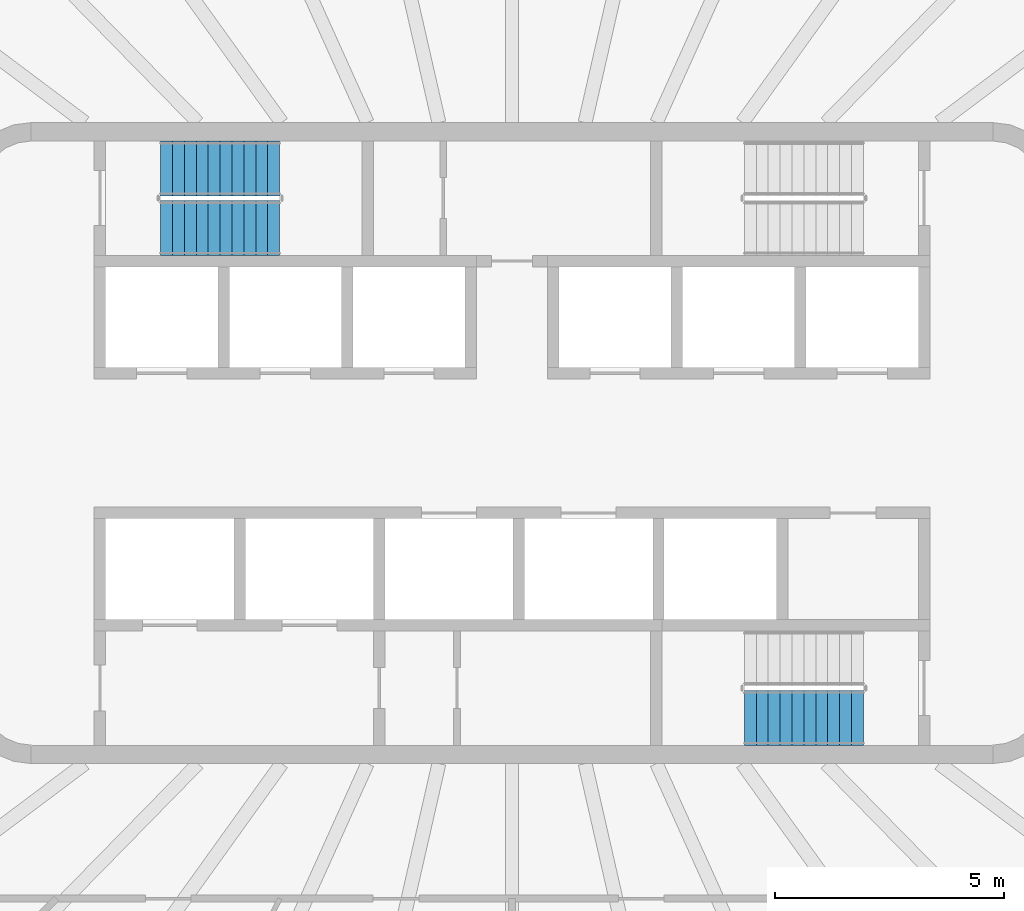
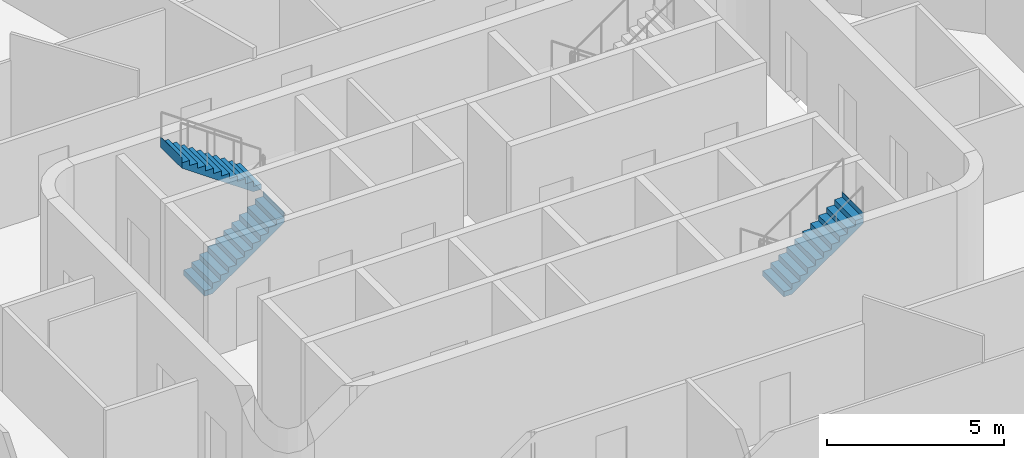
# One storey, part 13 of 21: 3 stair flights, 2 elements without a shape of their own.
"""IFC4 building model written with IfcOpenShell, lengths in metres."""

from ifc_helpers import new_model, si_unit, direction, frame, origin, place, context, subcontext, project, spatial, triangles, material, type_object, element, aggregate, save


model = new_model("IFC4")

# Units and contexts
model_context = context("Model", 3, precision=1e-05, world=origin(), true_north=direction((0.0, 1.0)))
body_context = subcontext(model_context, "Body", "Model", "MODEL_VIEW")
ifc_project = project(units=[si_unit("LENGTHUNIT", "METRE"), si_unit("AREAUNIT", "SQUARE_METRE"), si_unit("VOLUMEUNIT", "CUBIC_METRE"), si_unit("PLANEANGLEUNIT", "RADIAN"), si_unit("MASSUNIT", "GRAM", prefix="KILO")], contexts=[model_context])

# Site, building, storey
site_placement = place(None, origin())
site = spatial("IfcSite", under=ifc_project, at=site_placement, CompositionType="ELEMENT")
building_placement = place(site_placement, origin())
building = spatial("IfcBuilding", under=site, at=building_placement, Name="Sahrelin Media Tower", CompositionType="ELEMENT")
storey_placement = place(building_placement, frame((0.0, 0.0, 259.0)))
storey = spatial("IfcBuildingStorey", under=building, at=storey_placement, Name="L56", CompositionType="ELEMENT", Elevation=259.0)

# Stair, stair flights
ifc_material = material(Name="Concrete C40/50", Category="concrete")
stair_type = type_object("IfcStairType", Name="Exit stair 1200", PredefinedType="HALF_TURN_STAIR", material=ifc_material)
placement = place(storey_placement, origin())
stair_1 = element("IfcStair", 1, at=placement, inside=storey, type_object=stair_type, Name="L56 Exit stair ST1", PredefinedType="HALF_TURN_STAIR")
stair_flight_type = type_object("IfcStairFlightType", Name="Stair flight 1200", PredefinedType="STRAIGHT", material=ifc_material)
stair_flight_1_placement = place(storey_placement, frame((-7.675048828125, 4.699951171875, 0.0), z_axis=(0.0, 0.0, 1.0), x_axis=(1.0, 0.0, 0.0)))
stair_flight_1 = element("IfcStairFlight", 2, at=stair_flight_1_placement, type_object=stair_flight_type, Name="ST1 flight 1", NumberOfRisers=11, NumberOfTreads=10, PredefinedType="STRAIGHT", RiserHeight=0.181818182, TreadLength=0.26, context=body_context, shape_type="Tessellation", body=[
    triangles([(0.261474609375, 0.60009765625, 0.0), (0.261474609375, 0.300048828125, 0.0), (0.261474609375, 0.0, 0.0), (0.261474609375, -0.300048828125, 0.0), (0.261474609375, -0.60009765625, 0.0), (2.60009765625, 0.60009765625, 1.63525390625), (2.60009765625, 0.300048828125, 1.63525390625), (2.60009765625, 0.0, 1.63525390625), (2.60009765625, -0.300048828125, 1.63525390625), (2.60009765625, -0.60009765625, 1.63525390625), (2.60009765625, 0.60009765625, 2.0), (2.60009765625, 0.300048828125, 2.0), (2.60009765625, 0.0, 2.0), (2.60009765625, -0.300048828125, 2.0), (2.60009765625, -0.60009765625, 2.0), (2.597900390625, 0.60009765625, 2.0), (2.597900390625, 0.300048828125, 2.0), (2.597900390625, 0.0, 2.0), (2.597900390625, -0.300048828125, 2.0), (2.597900390625, -0.60009765625, 2.0), (2.597900390625, 0.60009765625, 1.818115234375), (2.597900390625, 0.300048828125, 1.818115234375), (2.597900390625, 0.0, 1.818115234375), (2.597900390625, -0.300048828125, 1.818115234375), (2.597900390625, -0.60009765625, 1.818115234375), (2.340087890625, 0.60009765625, 1.818115234375), (2.340087890625, 0.300048828125, 1.818115234375), (2.340087890625, 0.0, 1.818115234375), (2.340087890625, -0.300048828125, 1.818115234375), (2.340087890625, -0.60009765625, 1.818115234375), (2.340087890625, 0.60009765625, 1.636474609375), (2.340087890625, 0.300048828125, 1.636474609375), (2.340087890625, 0.0, 1.636474609375), (2.340087890625, -0.300048828125, 1.636474609375), (2.340087890625, -0.60009765625, 1.636474609375), (2.080078125, 0.60009765625, 1.636474609375), (2.080078125, 0.300048828125, 1.636474609375), (2.080078125, 0.0, 1.636474609375), (2.080078125, -0.300048828125, 1.636474609375), (2.080078125, -0.60009765625, 1.636474609375), (2.080078125, 0.60009765625, 1.45458984375), (2.080078125, 0.300048828125, 1.45458984375), (2.080078125, 0.0, 1.45458984375), (2.080078125, -0.300048828125, 1.45458984375), (2.080078125, -0.60009765625, 1.45458984375), (1.820068359375, 0.60009765625, 1.45458984375), (1.820068359375, 0.300048828125, 1.45458984375), (1.820068359375, 0.0, 1.45458984375), (1.820068359375, -0.300048828125, 1.45458984375), (1.820068359375, -0.60009765625, 1.45458984375), (1.820068359375, 0.60009765625, 1.272705078125), (1.820068359375, 0.300048828125, 1.272705078125), (1.820068359375, 0.0, 1.272705078125), (1.820068359375, -0.300048828125, 1.272705078125), (1.820068359375, -0.60009765625, 1.272705078125), (1.56005859375, 0.60009765625, 1.272705078125), (1.56005859375, 0.300048828125, 1.272705078125), (1.56005859375, 0.0, 1.272705078125), (1.56005859375, -0.300048828125, 1.272705078125), (1.56005859375, -0.60009765625, 1.272705078125), (1.56005859375, 0.60009765625, 1.0908203125), (1.56005859375, 0.300048828125, 1.0908203125), (1.56005859375, 0.0, 1.0908203125), (1.56005859375, -0.300048828125, 1.0908203125), (1.56005859375, -0.60009765625, 1.0908203125), (1.300048828125, 0.60009765625, 1.0908203125), (1.300048828125, 0.300048828125, 1.0908203125), (1.300048828125, 0.0, 1.0908203125), (1.300048828125, -0.300048828125, 1.0908203125), (1.300048828125, -0.60009765625, 1.0908203125), (1.300048828125, 0.60009765625, 0.9091796875), (1.300048828125, 0.300048828125, 0.9091796875), (1.300048828125, 0.0, 0.9091796875), (1.300048828125, -0.300048828125, 0.9091796875), (1.300048828125, -0.60009765625, 0.9091796875), (1.0400390625, 0.60009765625, 0.9091796875), (1.0400390625, 0.300048828125, 0.9091796875), (1.0400390625, 0.0, 0.9091796875), (1.0400390625, -0.300048828125, 0.9091796875), (1.0400390625, -0.60009765625, 0.9091796875), (1.0400390625, 0.60009765625, 0.727294921875), (1.0400390625, 0.300048828125, 0.727294921875), (1.0400390625, 0.0, 0.727294921875), (1.0400390625, -0.300048828125, 0.727294921875), (1.0400390625, -0.60009765625, 0.727294921875), (0.780029296875, 0.60009765625, 0.727294921875), (0.780029296875, 0.300048828125, 0.727294921875), (0.780029296875, 0.0, 0.727294921875), (0.780029296875, -0.300048828125, 0.727294921875), (0.780029296875, -0.60009765625, 0.727294921875), (0.780029296875, 0.60009765625, 0.54541015625), (0.780029296875, 0.300048828125, 0.54541015625), (0.780029296875, 0.0, 0.54541015625), (0.780029296875, -0.300048828125, 0.54541015625), (0.780029296875, -0.60009765625, 0.54541015625), (0.52001953125, 0.60009765625, 0.54541015625), (0.52001953125, 0.300048828125, 0.54541015625), (0.52001953125, 0.0, 0.54541015625), (0.52001953125, -0.300048828125, 0.54541015625), (0.52001953125, -0.60009765625, 0.54541015625), (0.52001953125, 0.60009765625, 0.363525390625), (0.52001953125, 0.300048828125, 0.363525390625), (0.52001953125, 0.0, 0.363525390625), (0.52001953125, -0.300048828125, 0.363525390625), (0.52001953125, -0.60009765625, 0.363525390625), (0.260009765625, 0.60009765625, 0.363525390625), (0.260009765625, 0.300048828125, 0.363525390625), (0.260009765625, 0.0, 0.363525390625), (0.260009765625, -0.300048828125, 0.363525390625), (0.260009765625, -0.60009765625, 0.363525390625), (0.260009765625, 0.60009765625, 0.181884765625), (0.260009765625, 0.300048828125, 0.181884765625), (0.260009765625, 0.0, 0.181884765625), (0.260009765625, -0.300048828125, 0.181884765625), (0.260009765625, -0.60009765625, 0.181884765625), (0.0, 0.60009765625, 0.181884765625), (0.0, 0.300048828125, 0.181884765625), (0.0, 0.0, 0.181884765625), (0.0, -0.300048828125, 0.181884765625), (0.0, -0.60009765625, 0.181884765625), (0.0, 0.60009765625, 0.0), (0.0, 0.300048828125, 0.0), (0.0, 0.0, 0.0), (0.0, -0.300048828125, 0.0), (0.0, -0.60009765625, 0.0)], [[1, 6, 7], [1, 7, 2], [2, 7, 8], [2, 8, 3], [3, 8, 9], [3, 9, 4], [4, 9, 10], [4, 10, 5], [6, 11, 12], [6, 12, 7], [7, 12, 13], [7, 13, 8], [8, 13, 14], [8, 14, 9], [9, 14, 15], [9, 15, 10], [11, 16, 17], [11, 17, 12], [12, 17, 18], [12, 18, 13], [13, 18, 19], [13, 19, 14], [14, 19, 20], [14, 20, 15], [16, 21, 22], [16, 22, 17], [17, 22, 23], [17, 23, 18], [18, 23, 24], [18, 24, 19], [19, 24, 25], [19, 25, 20], [21, 26, 27], [21, 27, 22], [22, 27, 28], [22, 28, 23], [23, 28, 29], [23, 29, 24], [24, 29, 30], [24, 30, 25], [26, 31, 32], [26, 32, 27], [27, 32, 33], [27, 33, 28], [28, 33, 34], [28, 34, 29], [29, 34, 35], [29, 35, 30], [31, 36, 37], [31, 37, 32], [32, 37, 38], [32, 38, 33], [33, 38, 39], [33, 39, 34], [34, 39, 40], [34, 40, 35], [36, 41, 42], [36, 42, 37], [37, 42, 43], [37, 43, 38], [38, 43, 44], [38, 44, 39], [39, 44, 45], [39, 45, 40], [41, 46, 47], [41, 47, 42], [42, 47, 48], [42, 48, 43], [43, 48, 49], [43, 49, 44], [44, 49, 50], [44, 50, 45], [46, 51, 52], [46, 52, 47], [47, 52, 53], [47, 53, 48], [48, 53, 54], [48, 54, 49], [49, 54, 55], [49, 55, 50], [51, 56, 57], [51, 57, 52], [52, 57, 58], [52, 58, 53], [53, 58, 59], [53, 59, 54], [54, 59, 60], [54, 60, 55], [56, 61, 62], [56, 62, 57], [57, 62, 63], [57, 63, 58], [58, 63, 64], [58, 64, 59], [59, 64, 65], [59, 65, 60], [61, 66, 67], [61, 67, 62], [62, 67, 68], [62, 68, 63], [63, 68, 69], [63, 69, 64], [64, 69, 70], [64, 70, 65], [66, 71, 72], [66, 72, 67], [67, 72, 73], [67, 73, 68], [68, 73, 74], [68, 74, 69], [69, 74, 75], [69, 75, 70], [71, 76, 77], [71, 77, 72], [72, 77, 78], [72, 78, 73], [73, 78, 79], [73, 79, 74], [74, 79, 80], [74, 80, 75], [76, 81, 82], [76, 82, 77], [77, 82, 83], [77, 83, 78], [78, 83, 84], [78, 84, 79], [79, 84, 85], [79, 85, 80], [81, 86, 87], [81, 87, 82], [82, 87, 88], [82, 88, 83], [83, 88, 89], [83, 89, 84], [84, 89, 90], [84, 90, 85], [86, 91, 92], [86, 92, 87], [87, 92, 93], [87, 93, 88], [88, 93, 94], [88, 94, 89], [89, 94, 95], [89, 95, 90], [91, 96, 97], [91, 97, 92], [92, 97, 98], [92, 98, 93], [93, 98, 99], [93, 99, 94], [94, 99, 100], [94, 100, 95], [96, 101, 102], [96, 102, 97], [97, 102, 103], [97, 103, 98], [98, 103, 104], [98, 104, 99], [99, 104, 105], [99, 105, 100], [101, 106, 107], [101, 107, 102], [102, 107, 108], [102, 108, 103], [103, 108, 109], [103, 109, 104], [104, 109, 110], [104, 110, 105], [106, 111, 112], [106, 112, 107], [107, 112, 113], [107, 113, 108], [108, 113, 114], [108, 114, 109], [109, 114, 115], [109, 115, 110], [111, 116, 117], [111, 117, 112], [112, 117, 118], [112, 118, 113], [113, 118, 119], [113, 119, 114], [114, 119, 120], [114, 120, 115], [116, 121, 122], [116, 122, 117], [117, 122, 123], [117, 123, 118], [118, 123, 124], [118, 124, 119], [119, 124, 125], [119, 125, 120], [121, 1, 2], [121, 2, 122], [122, 2, 3], [122, 3, 123], [123, 3, 4], [123, 4, 124], [124, 4, 5], [124, 5, 125], [115, 120, 125], [111, 121, 116], [115, 105, 110], [111, 106, 101], [105, 95, 100], [101, 96, 91], [95, 85, 90], [91, 86, 81], [85, 75, 80], [81, 76, 71], [75, 65, 70], [71, 66, 61], [65, 55, 60], [61, 56, 51], [55, 45, 50], [51, 46, 41], [45, 35, 40], [41, 36, 31], [35, 25, 30], [31, 26, 21], [25, 15, 20], [21, 16, 11], [125, 5, 115], [121, 111, 1], [25, 10, 15], [21, 11, 6], [105, 115, 5], [101, 1, 111], [35, 10, 25], [31, 21, 6], [95, 105, 5], [91, 1, 101], [45, 10, 35], [41, 31, 6], [85, 95, 5], [81, 1, 91], [55, 10, 45], [51, 41, 6], [75, 85, 5], [71, 1, 81], [65, 10, 55], [61, 51, 6], [5, 10, 75], [1, 71, 6], [75, 10, 65], [71, 61, 6]], closed=True),
])
stair_flight_2_placement = place(storey_placement, frame((-5.074951171875, 6.0, 2.0), z_axis=(0.0, 0.0, 1.0), x_axis=(-1.0, 0.0, 0.0)))
stair_flight_2 = element("IfcStairFlight", 3, at=stair_flight_2_placement, type_object=stair_flight_type, Name="ST1 flight 2", NumberOfRisers=11, NumberOfTreads=10, PredefinedType="STRAIGHT", RiserHeight=0.181818182, TreadLength=0.26, context=body_context, shape_type="Tessellation", body=[
    triangles([(0.261474609375, 0.60009765625, 0.0), (0.261474609375, 0.300048828125, 0.0), (0.261474609375, 0.0, 0.0), (0.261474609375, -0.300048828125, 0.0), (0.261474609375, -0.60009765625, 0.0), (2.60009765625, 0.60009765625, 1.63525390625), (2.60009765625, 0.300048828125, 1.63525390625), (2.60009765625, 0.0, 1.63525390625), (2.60009765625, -0.300048828125, 1.63525390625), (2.60009765625, -0.60009765625, 1.63525390625), (2.60009765625, 0.60009765625, 2.0), (2.60009765625, 0.300048828125, 2.0), (2.60009765625, 0.0, 2.0), (2.60009765625, -0.300048828125, 2.0), (2.60009765625, -0.60009765625, 2.0), (2.597900390625, 0.60009765625, 2.0), (2.597900390625, 0.300048828125, 2.0), (2.597900390625, 0.0, 2.0), (2.597900390625, -0.300048828125, 2.0), (2.597900390625, -0.60009765625, 2.0), (2.597900390625, 0.60009765625, 1.818115234375), (2.597900390625, 0.300048828125, 1.818115234375), (2.597900390625, 0.0, 1.818115234375), (2.597900390625, -0.300048828125, 1.818115234375), (2.597900390625, -0.60009765625, 1.818115234375), (2.340087890625, 0.60009765625, 1.818115234375), (2.340087890625, 0.300048828125, 1.818115234375), (2.340087890625, 0.0, 1.818115234375), (2.340087890625, -0.300048828125, 1.818115234375), (2.340087890625, -0.60009765625, 1.818115234375), (2.340087890625, 0.60009765625, 1.636474609375), (2.340087890625, 0.300048828125, 1.636474609375), (2.340087890625, 0.0, 1.636474609375), (2.340087890625, -0.300048828125, 1.636474609375), (2.340087890625, -0.60009765625, 1.636474609375), (2.080078125, 0.60009765625, 1.636474609375), (2.080078125, 0.300048828125, 1.636474609375), (2.080078125, 0.0, 1.636474609375), (2.080078125, -0.300048828125, 1.636474609375), (2.080078125, -0.60009765625, 1.636474609375), (2.080078125, 0.60009765625, 1.45458984375), (2.080078125, 0.300048828125, 1.45458984375), (2.080078125, 0.0, 1.45458984375), (2.080078125, -0.300048828125, 1.45458984375), (2.080078125, -0.60009765625, 1.45458984375), (1.820068359375, 0.60009765625, 1.45458984375), (1.820068359375, 0.300048828125, 1.45458984375), (1.820068359375, 0.0, 1.45458984375), (1.820068359375, -0.300048828125, 1.45458984375), (1.820068359375, -0.60009765625, 1.45458984375), (1.820068359375, 0.60009765625, 1.272705078125), (1.820068359375, 0.300048828125, 1.272705078125), (1.820068359375, 0.0, 1.272705078125), (1.820068359375, -0.300048828125, 1.272705078125), (1.820068359375, -0.60009765625, 1.272705078125), (1.56005859375, 0.60009765625, 1.272705078125), (1.56005859375, 0.300048828125, 1.272705078125), (1.56005859375, 0.0, 1.272705078125), (1.56005859375, -0.300048828125, 1.272705078125), (1.56005859375, -0.60009765625, 1.272705078125), (1.56005859375, 0.60009765625, 1.0908203125), (1.56005859375, 0.300048828125, 1.0908203125), (1.56005859375, 0.0, 1.0908203125), (1.56005859375, -0.300048828125, 1.0908203125), (1.56005859375, -0.60009765625, 1.0908203125), (1.300048828125, 0.60009765625, 1.0908203125), (1.300048828125, 0.300048828125, 1.0908203125), (1.300048828125, 0.0, 1.0908203125), (1.300048828125, -0.300048828125, 1.0908203125), (1.300048828125, -0.60009765625, 1.0908203125), (1.300048828125, 0.60009765625, 0.9091796875), (1.300048828125, 0.300048828125, 0.9091796875), (1.300048828125, 0.0, 0.9091796875), (1.300048828125, -0.300048828125, 0.9091796875), (1.300048828125, -0.60009765625, 0.9091796875), (1.0400390625, 0.60009765625, 0.9091796875), (1.0400390625, 0.300048828125, 0.9091796875), (1.0400390625, 0.0, 0.9091796875), (1.0400390625, -0.300048828125, 0.9091796875), (1.0400390625, -0.60009765625, 0.9091796875), (1.0400390625, 0.60009765625, 0.727294921875), (1.0400390625, 0.300048828125, 0.727294921875), (1.0400390625, 0.0, 0.727294921875), (1.0400390625, -0.300048828125, 0.727294921875), (1.0400390625, -0.60009765625, 0.727294921875), (0.780029296875, 0.60009765625, 0.727294921875), (0.780029296875, 0.300048828125, 0.727294921875), (0.780029296875, 0.0, 0.727294921875), (0.780029296875, -0.300048828125, 0.727294921875), (0.780029296875, -0.60009765625, 0.727294921875), (0.780029296875, 0.60009765625, 0.54541015625), (0.780029296875, 0.300048828125, 0.54541015625), (0.780029296875, 0.0, 0.54541015625), (0.780029296875, -0.300048828125, 0.54541015625), (0.780029296875, -0.60009765625, 0.54541015625), (0.52001953125, 0.60009765625, 0.54541015625), (0.52001953125, 0.300048828125, 0.54541015625), (0.52001953125, 0.0, 0.54541015625), (0.52001953125, -0.300048828125, 0.54541015625), (0.52001953125, -0.60009765625, 0.54541015625), (0.52001953125, 0.60009765625, 0.363525390625), (0.52001953125, 0.300048828125, 0.363525390625), (0.52001953125, 0.0, 0.363525390625), (0.52001953125, -0.300048828125, 0.363525390625), (0.52001953125, -0.60009765625, 0.363525390625), (0.260009765625, 0.60009765625, 0.363525390625), (0.260009765625, 0.300048828125, 0.363525390625), (0.260009765625, 0.0, 0.363525390625), (0.260009765625, -0.300048828125, 0.363525390625), (0.260009765625, -0.60009765625, 0.363525390625), (0.260009765625, 0.60009765625, 0.181884765625), (0.260009765625, 0.300048828125, 0.181884765625), (0.260009765625, 0.0, 0.181884765625), (0.260009765625, -0.300048828125, 0.181884765625), (0.260009765625, -0.60009765625, 0.181884765625), (0.0, 0.60009765625, 0.181884765625), (0.0, 0.300048828125, 0.181884765625), (0.0, 0.0, 0.181884765625), (0.0, -0.300048828125, 0.181884765625), (0.0, -0.60009765625, 0.181884765625), (0.0, 0.60009765625, 0.0), (0.0, 0.300048828125, 0.0), (0.0, 0.0, 0.0), (0.0, -0.300048828125, 0.0), (0.0, -0.60009765625, 0.0)], [[1, 6, 7], [1, 7, 2], [2, 7, 8], [2, 8, 3], [3, 8, 9], [3, 9, 4], [4, 9, 10], [4, 10, 5], [6, 11, 12], [6, 12, 7], [7, 12, 13], [7, 13, 8], [8, 13, 14], [8, 14, 9], [9, 14, 15], [9, 15, 10], [11, 16, 17], [11, 17, 12], [12, 17, 18], [12, 18, 13], [13, 18, 19], [13, 19, 14], [14, 19, 20], [14, 20, 15], [16, 21, 22], [16, 22, 17], [17, 22, 23], [17, 23, 18], [18, 23, 24], [18, 24, 19], [19, 24, 25], [19, 25, 20], [21, 26, 27], [21, 27, 22], [22, 27, 28], [22, 28, 23], [23, 28, 29], [23, 29, 24], [24, 29, 30], [24, 30, 25], [26, 31, 32], [26, 32, 27], [27, 32, 33], [27, 33, 28], [28, 33, 34], [28, 34, 29], [29, 34, 35], [29, 35, 30], [31, 36, 37], [31, 37, 32], [32, 37, 38], [32, 38, 33], [33, 38, 39], [33, 39, 34], [34, 39, 40], [34, 40, 35], [36, 41, 42], [36, 42, 37], [37, 42, 43], [37, 43, 38], [38, 43, 44], [38, 44, 39], [39, 44, 45], [39, 45, 40], [41, 46, 47], [41, 47, 42], [42, 47, 48], [42, 48, 43], [43, 48, 49], [43, 49, 44], [44, 49, 50], [44, 50, 45], [46, 51, 52], [46, 52, 47], [47, 52, 53], [47, 53, 48], [48, 53, 54], [48, 54, 49], [49, 54, 55], [49, 55, 50], [51, 56, 57], [51, 57, 52], [52, 57, 58], [52, 58, 53], [53, 58, 59], [53, 59, 54], [54, 59, 60], [54, 60, 55], [56, 61, 62], [56, 62, 57], [57, 62, 63], [57, 63, 58], [58, 63, 64], [58, 64, 59], [59, 64, 65], [59, 65, 60], [61, 66, 67], [61, 67, 62], [62, 67, 68], [62, 68, 63], [63, 68, 69], [63, 69, 64], [64, 69, 70], [64, 70, 65], [66, 71, 72], [66, 72, 67], [67, 72, 73], [67, 73, 68], [68, 73, 74], [68, 74, 69], [69, 74, 75], [69, 75, 70], [71, 76, 77], [71, 77, 72], [72, 77, 78], [72, 78, 73], [73, 78, 79], [73, 79, 74], [74, 79, 80], [74, 80, 75], [76, 81, 82], [76, 82, 77], [77, 82, 83], [77, 83, 78], [78, 83, 84], [78, 84, 79], [79, 84, 85], [79, 85, 80], [81, 86, 87], [81, 87, 82], [82, 87, 88], [82, 88, 83], [83, 88, 89], [83, 89, 84], [84, 89, 90], [84, 90, 85], [86, 91, 92], [86, 92, 87], [87, 92, 93], [87, 93, 88], [88, 93, 94], [88, 94, 89], [89, 94, 95], [89, 95, 90], [91, 96, 97], [91, 97, 92], [92, 97, 98], [92, 98, 93], [93, 98, 99], [93, 99, 94], [94, 99, 100], [94, 100, 95], [96, 101, 102], [96, 102, 97], [97, 102, 103], [97, 103, 98], [98, 103, 104], [98, 104, 99], [99, 104, 105], [99, 105, 100], [101, 106, 107], [101, 107, 102], [102, 107, 108], [102, 108, 103], [103, 108, 109], [103, 109, 104], [104, 109, 110], [104, 110, 105], [106, 111, 112], [106, 112, 107], [107, 112, 113], [107, 113, 108], [108, 113, 114], [108, 114, 109], [109, 114, 115], [109, 115, 110], [111, 116, 117], [111, 117, 112], [112, 117, 118], [112, 118, 113], [113, 118, 119], [113, 119, 114], [114, 119, 120], [114, 120, 115], [116, 121, 122], [116, 122, 117], [117, 122, 123], [117, 123, 118], [118, 123, 124], [118, 124, 119], [119, 124, 125], [119, 125, 120], [121, 1, 2], [121, 2, 122], [122, 2, 3], [122, 3, 123], [123, 3, 4], [123, 4, 124], [124, 4, 5], [124, 5, 125], [115, 120, 125], [111, 121, 116], [115, 105, 110], [111, 106, 101], [105, 95, 100], [101, 96, 91], [95, 85, 90], [91, 86, 81], [85, 75, 80], [81, 76, 71], [75, 65, 70], [71, 66, 61], [65, 55, 60], [61, 56, 51], [55, 45, 50], [51, 46, 41], [45, 35, 40], [41, 36, 31], [35, 25, 30], [31, 26, 21], [25, 15, 20], [21, 16, 11], [125, 5, 115], [121, 111, 1], [25, 10, 15], [21, 11, 6], [105, 115, 5], [101, 1, 111], [35, 10, 25], [31, 21, 6], [95, 105, 5], [91, 1, 101], [45, 10, 35], [41, 31, 6], [85, 95, 5], [81, 1, 91], [55, 10, 45], [51, 41, 6], [75, 85, 5], [71, 1, 81], [65, 10, 55], [61, 51, 6], [5, 10, 75], [1, 71, 6], [75, 10, 65], [71, 61, 6]], closed=True),
])
aggregate(stair_1, [stair_flight_1, stair_flight_2])

# Stair, stair flight
stair_2 = element("IfcStair", 4, at=placement, inside=storey, type_object=stair_type, Name="L56 Exit stair ST2", PredefinedType="HALF_TURN_STAIR")
stair_flight_3_placement = place(storey_placement, frame((5.074951171875, -6.0, 2.0), z_axis=(0.0, 0.0, 1.0), x_axis=(1.0, 0.0, 0.0)))
stair_flight_3 = element("IfcStairFlight", 5, at=stair_flight_3_placement, type_object=stair_flight_type, Name="ST2 flight 2", NumberOfRisers=11, NumberOfTreads=10, PredefinedType="STRAIGHT", RiserHeight=0.181818182, TreadLength=0.26, context=body_context, shape_type="Tessellation", body=[
    triangles([(0.261474609375, 0.60009765625, 0.0), (0.261474609375, 0.300048828125, 0.0), (0.261474609375, 0.0, 0.0), (0.261474609375, -0.300048828125, 0.0), (0.261474609375, -0.60009765625, 0.0), (2.60009765625, 0.60009765625, 1.63525390625), (2.60009765625, 0.300048828125, 1.63525390625), (2.60009765625, 0.0, 1.63525390625), (2.60009765625, -0.300048828125, 1.63525390625), (2.60009765625, -0.60009765625, 1.63525390625), (2.60009765625, 0.60009765625, 2.0), (2.60009765625, 0.300048828125, 2.0), (2.60009765625, 0.0, 2.0), (2.60009765625, -0.300048828125, 2.0), (2.60009765625, -0.60009765625, 2.0), (2.597900390625, 0.60009765625, 2.0), (2.597900390625, 0.300048828125, 2.0), (2.597900390625, 0.0, 2.0), (2.597900390625, -0.300048828125, 2.0), (2.597900390625, -0.60009765625, 2.0), (2.597900390625, 0.60009765625, 1.818115234375), (2.597900390625, 0.300048828125, 1.818115234375), (2.597900390625, 0.0, 1.818115234375), (2.597900390625, -0.300048828125, 1.818115234375), (2.597900390625, -0.60009765625, 1.818115234375), (2.340087890625, 0.60009765625, 1.818115234375), (2.340087890625, 0.300048828125, 1.818115234375), (2.340087890625, 0.0, 1.818115234375), (2.340087890625, -0.300048828125, 1.818115234375), (2.340087890625, -0.60009765625, 1.818115234375), (2.340087890625, 0.60009765625, 1.636474609375), (2.340087890625, 0.300048828125, 1.636474609375), (2.340087890625, 0.0, 1.636474609375), (2.340087890625, -0.300048828125, 1.636474609375), (2.340087890625, -0.60009765625, 1.636474609375), (2.080078125, 0.60009765625, 1.636474609375), (2.080078125, 0.300048828125, 1.636474609375), (2.080078125, 0.0, 1.636474609375), (2.080078125, -0.300048828125, 1.636474609375), (2.080078125, -0.60009765625, 1.636474609375), (2.080078125, 0.60009765625, 1.45458984375), (2.080078125, 0.300048828125, 1.45458984375), (2.080078125, 0.0, 1.45458984375), (2.080078125, -0.300048828125, 1.45458984375), (2.080078125, -0.60009765625, 1.45458984375), (1.820068359375, 0.60009765625, 1.45458984375), (1.820068359375, 0.300048828125, 1.45458984375), (1.820068359375, 0.0, 1.45458984375), (1.820068359375, -0.300048828125, 1.45458984375), (1.820068359375, -0.60009765625, 1.45458984375), (1.820068359375, 0.60009765625, 1.272705078125), (1.820068359375, 0.300048828125, 1.272705078125), (1.820068359375, 0.0, 1.272705078125), (1.820068359375, -0.300048828125, 1.272705078125), (1.820068359375, -0.60009765625, 1.272705078125), (1.56005859375, 0.60009765625, 1.272705078125), (1.56005859375, 0.300048828125, 1.272705078125), (1.56005859375, 0.0, 1.272705078125), (1.56005859375, -0.300048828125, 1.272705078125), (1.56005859375, -0.60009765625, 1.272705078125), (1.56005859375, 0.60009765625, 1.0908203125), (1.56005859375, 0.300048828125, 1.0908203125), (1.56005859375, 0.0, 1.0908203125), (1.56005859375, -0.300048828125, 1.0908203125), (1.56005859375, -0.60009765625, 1.0908203125), (1.300048828125, 0.60009765625, 1.0908203125), (1.300048828125, 0.300048828125, 1.0908203125), (1.300048828125, 0.0, 1.0908203125), (1.300048828125, -0.300048828125, 1.0908203125), (1.300048828125, -0.60009765625, 1.0908203125), (1.300048828125, 0.60009765625, 0.9091796875), (1.300048828125, 0.300048828125, 0.9091796875), (1.300048828125, 0.0, 0.9091796875), (1.300048828125, -0.300048828125, 0.9091796875), (1.300048828125, -0.60009765625, 0.9091796875), (1.0400390625, 0.60009765625, 0.9091796875), (1.0400390625, 0.300048828125, 0.9091796875), (1.0400390625, 0.0, 0.9091796875), (1.0400390625, -0.300048828125, 0.9091796875), (1.0400390625, -0.60009765625, 0.9091796875), (1.0400390625, 0.60009765625, 0.727294921875), (1.0400390625, 0.300048828125, 0.727294921875), (1.0400390625, 0.0, 0.727294921875), (1.0400390625, -0.300048828125, 0.727294921875), (1.0400390625, -0.60009765625, 0.727294921875), (0.780029296875, 0.60009765625, 0.727294921875), (0.780029296875, 0.300048828125, 0.727294921875), (0.780029296875, 0.0, 0.727294921875), (0.780029296875, -0.300048828125, 0.727294921875), (0.780029296875, -0.60009765625, 0.727294921875), (0.780029296875, 0.60009765625, 0.54541015625), (0.780029296875, 0.300048828125, 0.54541015625), (0.780029296875, 0.0, 0.54541015625), (0.780029296875, -0.300048828125, 0.54541015625), (0.780029296875, -0.60009765625, 0.54541015625), (0.52001953125, 0.60009765625, 0.54541015625), (0.52001953125, 0.300048828125, 0.54541015625), (0.52001953125, 0.0, 0.54541015625), (0.52001953125, -0.300048828125, 0.54541015625), (0.52001953125, -0.60009765625, 0.54541015625), (0.52001953125, 0.60009765625, 0.363525390625), (0.52001953125, 0.300048828125, 0.363525390625), (0.52001953125, 0.0, 0.363525390625), (0.52001953125, -0.300048828125, 0.363525390625), (0.52001953125, -0.60009765625, 0.363525390625), (0.260009765625, 0.60009765625, 0.363525390625), (0.260009765625, 0.300048828125, 0.363525390625), (0.260009765625, 0.0, 0.363525390625), (0.260009765625, -0.300048828125, 0.363525390625), (0.260009765625, -0.60009765625, 0.363525390625), (0.260009765625, 0.60009765625, 0.181884765625), (0.260009765625, 0.300048828125, 0.181884765625), (0.260009765625, 0.0, 0.181884765625), (0.260009765625, -0.300048828125, 0.181884765625), (0.260009765625, -0.60009765625, 0.181884765625), (0.0, 0.60009765625, 0.181884765625), (0.0, 0.300048828125, 0.181884765625), (0.0, 0.0, 0.181884765625), (0.0, -0.300048828125, 0.181884765625), (0.0, -0.60009765625, 0.181884765625), (0.0, 0.60009765625, 0.0), (0.0, 0.300048828125, 0.0), (0.0, 0.0, 0.0), (0.0, -0.300048828125, 0.0), (0.0, -0.60009765625, 0.0)], [[1, 6, 7], [1, 7, 2], [2, 7, 8], [2, 8, 3], [3, 8, 9], [3, 9, 4], [4, 9, 10], [4, 10, 5], [6, 11, 12], [6, 12, 7], [7, 12, 13], [7, 13, 8], [8, 13, 14], [8, 14, 9], [9, 14, 15], [9, 15, 10], [11, 16, 17], [11, 17, 12], [12, 17, 18], [12, 18, 13], [13, 18, 19], [13, 19, 14], [14, 19, 20], [14, 20, 15], [16, 21, 22], [16, 22, 17], [17, 22, 23], [17, 23, 18], [18, 23, 24], [18, 24, 19], [19, 24, 25], [19, 25, 20], [21, 26, 27], [21, 27, 22], [22, 27, 28], [22, 28, 23], [23, 28, 29], [23, 29, 24], [24, 29, 30], [24, 30, 25], [26, 31, 32], [26, 32, 27], [27, 32, 33], [27, 33, 28], [28, 33, 34], [28, 34, 29], [29, 34, 35], [29, 35, 30], [31, 36, 37], [31, 37, 32], [32, 37, 38], [32, 38, 33], [33, 38, 39], [33, 39, 34], [34, 39, 40], [34, 40, 35], [36, 41, 42], [36, 42, 37], [37, 42, 43], [37, 43, 38], [38, 43, 44], [38, 44, 39], [39, 44, 45], [39, 45, 40], [41, 46, 47], [41, 47, 42], [42, 47, 48], [42, 48, 43], [43, 48, 49], [43, 49, 44], [44, 49, 50], [44, 50, 45], [46, 51, 52], [46, 52, 47], [47, 52, 53], [47, 53, 48], [48, 53, 54], [48, 54, 49], [49, 54, 55], [49, 55, 50], [51, 56, 57], [51, 57, 52], [52, 57, 58], [52, 58, 53], [53, 58, 59], [53, 59, 54], [54, 59, 60], [54, 60, 55], [56, 61, 62], [56, 62, 57], [57, 62, 63], [57, 63, 58], [58, 63, 64], [58, 64, 59], [59, 64, 65], [59, 65, 60], [61, 66, 67], [61, 67, 62], [62, 67, 68], [62, 68, 63], [63, 68, 69], [63, 69, 64], [64, 69, 70], [64, 70, 65], [66, 71, 72], [66, 72, 67], [67, 72, 73], [67, 73, 68], [68, 73, 74], [68, 74, 69], [69, 74, 75], [69, 75, 70], [71, 76, 77], [71, 77, 72], [72, 77, 78], [72, 78, 73], [73, 78, 79], [73, 79, 74], [74, 79, 80], [74, 80, 75], [76, 81, 82], [76, 82, 77], [77, 82, 83], [77, 83, 78], [78, 83, 84], [78, 84, 79], [79, 84, 85], [79, 85, 80], [81, 86, 87], [81, 87, 82], [82, 87, 88], [82, 88, 83], [83, 88, 89], [83, 89, 84], [84, 89, 90], [84, 90, 85], [86, 91, 92], [86, 92, 87], [87, 92, 93], [87, 93, 88], [88, 93, 94], [88, 94, 89], [89, 94, 95], [89, 95, 90], [91, 96, 97], [91, 97, 92], [92, 97, 98], [92, 98, 93], [93, 98, 99], [93, 99, 94], [94, 99, 100], [94, 100, 95], [96, 101, 102], [96, 102, 97], [97, 102, 103], [97, 103, 98], [98, 103, 104], [98, 104, 99], [99, 104, 105], [99, 105, 100], [101, 106, 107], [101, 107, 102], [102, 107, 108], [102, 108, 103], [103, 108, 109], [103, 109, 104], [104, 109, 110], [104, 110, 105], [106, 111, 112], [106, 112, 107], [107, 112, 113], [107, 113, 108], [108, 113, 114], [108, 114, 109], [109, 114, 115], [109, 115, 110], [111, 116, 117], [111, 117, 112], [112, 117, 118], [112, 118, 113], [113, 118, 119], [113, 119, 114], [114, 119, 120], [114, 120, 115], [116, 121, 122], [116, 122, 117], [117, 122, 123], [117, 123, 118], [118, 123, 124], [118, 124, 119], [119, 124, 125], [119, 125, 120], [121, 1, 2], [121, 2, 122], [122, 2, 3], [122, 3, 123], [123, 3, 4], [123, 4, 124], [124, 4, 5], [124, 5, 125], [115, 120, 125], [111, 121, 116], [115, 105, 110], [111, 106, 101], [105, 95, 100], [101, 96, 91], [95, 85, 90], [91, 86, 81], [85, 75, 80], [81, 76, 71], [75, 65, 70], [71, 66, 61], [65, 55, 60], [61, 56, 51], [55, 45, 50], [51, 46, 41], [45, 35, 40], [41, 36, 31], [35, 25, 30], [31, 26, 21], [25, 15, 20], [21, 16, 11], [125, 5, 115], [121, 111, 1], [25, 10, 15], [21, 11, 6], [105, 115, 5], [101, 1, 111], [35, 10, 25], [31, 21, 6], [95, 105, 5], [91, 1, 101], [45, 10, 35], [41, 31, 6], [85, 95, 5], [81, 1, 91], [55, 10, 45], [51, 41, 6], [75, 85, 5], [71, 1, 81], [65, 10, 55], [61, 51, 6], [5, 10, 75], [1, 71, 6], [75, 10, 65], [71, 61, 6]], closed=True),
])
aggregate(stair_2, [stair_flight_3])

save(model, "model.ifc")
